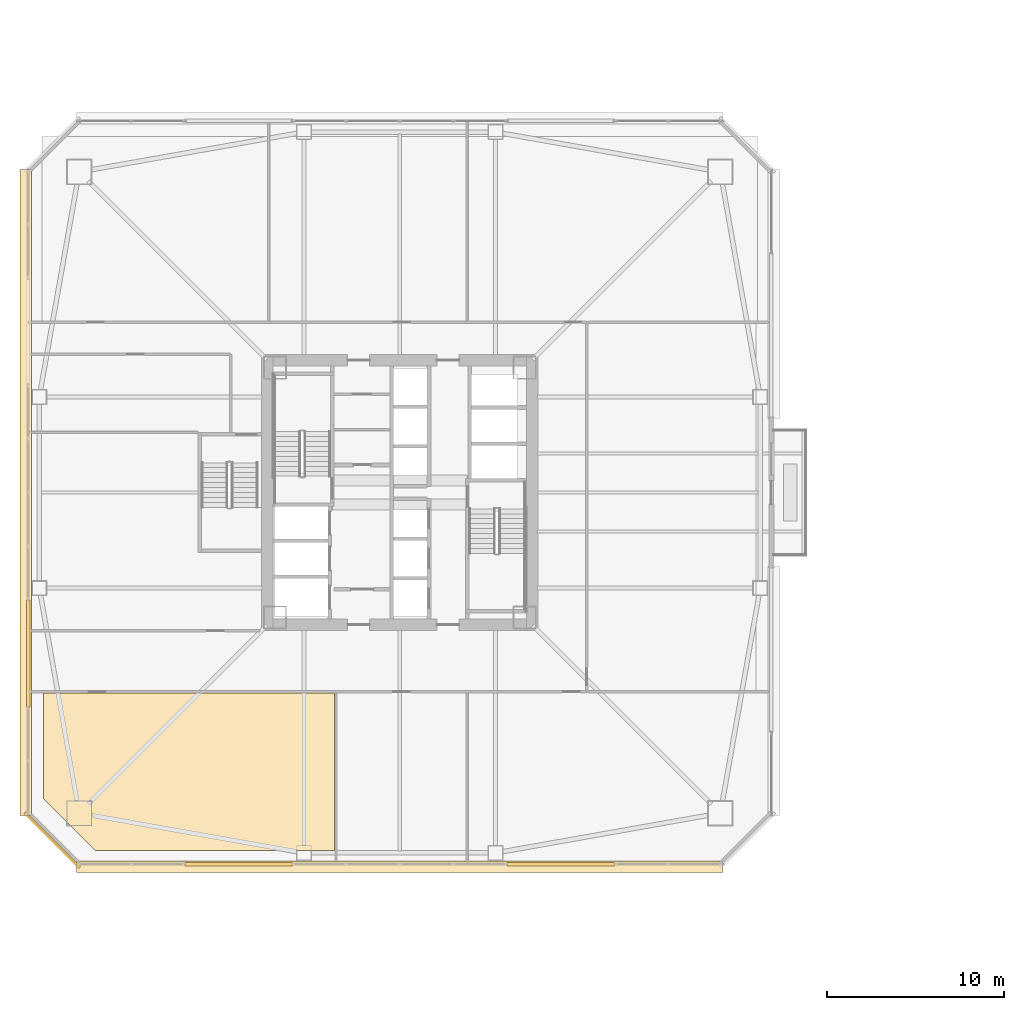
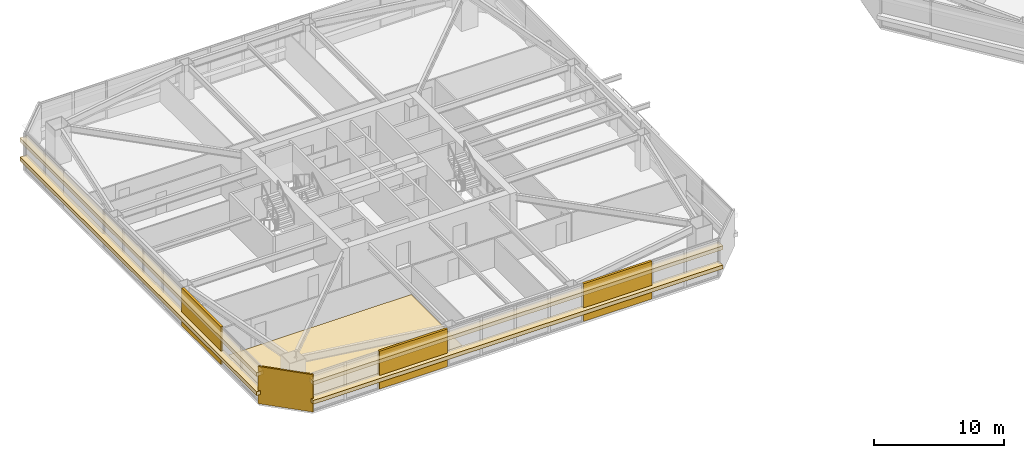
# One storey, part 38 of 44: 9 coverings.
"""IFC4 building model written with IfcOpenShell, lengths in metres."""

import ifcopenshell
import ifcopenshell.guid

model = None  # the IFC model being written
_history = None  # IfcOwnerHistory: only IFC2X3 demands one
_inside = {}  # id of a spatial element -> (the spatial element, [elements in it])
_under = {}  # id of a project, library or spatial element -> (it, [spatial elements below it])
_declared = {}  # id of a project -> (the project, [libraries it declares])
_typed = {}  # id of a type object -> (the type object, [elements of that type])
_made_of = {}  # id of a material, layer set ... -> (it, [elements and type objects made of it])


def new_model(schema):
    """Start an empty IFC model of exactly this schema.

    Asked for "IFC4X3", IfcOpenShell would pick the latest addendum, in which some entities
    have other attributes; the version numbers below select the first issue.
    IFC2X3 requires an IfcOwnerHistory on every rooted entity: one is made here for all.
    """
    global model, _history
    if schema == "IFC4X3":
        model = ifcopenshell.file(schema_version=(4, 3, 0, 0))
    else:
        model = ifcopenshell.file(schema=schema)
    _inside.clear()
    _under.clear()
    _declared.clear()
    _typed.clear()
    _made_of.clear()
    _history = None
    if model.schema == "IFC2X3":
        org = make("IfcOrganization", Name="unknown")
        user = make(
            "IfcPersonAndOrganization",
            ThePerson=make("IfcPerson", FamilyName="unknown"),
            TheOrganization=org,
        )
        app = make(
            "IfcApplication",
            ApplicationDeveloper=org,
            Version="unknown",
            ApplicationFullName="unknown",
            ApplicationIdentifier="unknown",
        )
        _history = make(
            "IfcOwnerHistory",
            OwningUser=user,
            OwningApplication=app,
            ChangeAction="ADDED",
            CreationDate=0,
        )
    return model


def make(cls, **values):
    """One entity of the class cls with the attributes given. An attribute that is None is left unset."""
    return model.create_entity(
        cls, **{name: value for name, value in values.items() if value is not None}
    )


def rooted(cls, **values):
    """An entity with a GlobalId (a new one), such as an element, a storey or a relation."""
    return make(cls, GlobalId=ifcopenshell.guid.new(), OwnerHistory=_history, **values)


def si_unit(unit_type, name, prefix=None):
    """IfcSIUnit, for example si_unit("LENGTHUNIT", "METRE", prefix="MILLI")."""
    return make("IfcSIUnit", UnitType=unit_type, Prefix=prefix, Name=name)


def assignment(units):
    """IfcUnitAssignment: the units of a project."""
    return None if units is None else make("IfcUnitAssignment", Units=units)


def point(xyz):
    """IfcCartesianPoint."""
    return None if xyz is None else make("IfcCartesianPoint", Coordinates=xyz)


def direction(xyz):
    """IfcDirection."""
    return None if xyz is None else make("IfcDirection", DirectionRatios=xyz)


def frame(location, z_axis=None, x_axis=None):
    """IfcAxis2Placement3D, a coordinate frame: its origin and axes. An axis left out is left unset."""
    return make(
        "IfcAxis2Placement3D",
        Location=point(location),
        Axis=direction(z_axis),
        RefDirection=direction(x_axis),
    )


def frame_2d(location, x_axis=None):
    """IfcAxis2Placement2D, a coordinate frame in the plane: its origin and x axis."""
    return make(
        "IfcAxis2Placement2D", Location=point(location), RefDirection=direction(x_axis)
    )


def origin():
    """The frame at (0, 0, 0) with its axes left unset."""
    return frame((0.0, 0.0, 0.0))


def origin_2d():
    """The frame at (0, 0) in the plane with its x axis left unset."""
    return frame_2d((0.0, 0.0))


def place(relative_to, where):
    """IfcLocalPlacement: puts the frame where relative to a parent placement (None: the world)."""
    return make(
        "IfcLocalPlacement", PlacementRelTo=relative_to, RelativePlacement=where
    )


def context(
    kind, dimensions, precision=None, world=None, true_north=None, identifier=None
):
    """IfcGeometricRepresentationContext, for example the 3D "Model" context."""
    return make(
        "IfcGeometricRepresentationContext",
        ContextIdentifier=identifier,
        ContextType=kind,
        CoordinateSpaceDimension=dimensions,
        Precision=precision,
        WorldCoordinateSystem=world,
        TrueNorth=true_north,
    )


def subcontext(parent, identifier, kind, view, scale=None):
    """IfcGeometricRepresentationSubContext, for example "Body" below "Model"."""
    return make(
        "IfcGeometricRepresentationSubContext",
        ContextIdentifier=identifier,
        ContextType=kind,
        ParentContext=parent,
        TargetScale=scale,
        TargetView=view,
    )


def project(units=None, contexts=None):
    """IfcProject with its units and contexts."""
    return rooted(
        "IfcProject",
        Name="project",
        RepresentationContexts=contexts,
        UnitsInContext=assignment(units),
    )


def spatial(cls, under=None, at=None, **own):
    """A site, building, storey or space (cls), placed at a placement, below another one or the project."""
    s = rooted(cls, ObjectPlacement=at, **own)
    if under is not None:
        _under.setdefault(under.id(), (under, []))[1].append(s)
    return s


def polyline(points):
    """IfcPolyline through the points."""
    return make("IfcPolyline", Points=[point(p) for p in points])


def profile(cls, at=None, kind="AREA", **sizes):
    """A parametric profile (cls). Its sizes go by their IFC names, for example OverallWidth=200.0."""
    return make(cls, ProfileType=kind, Position=at, **sizes)


def rectangle(**sizes):
    """IfcRectangleProfileDef."""
    return profile("IfcRectangleProfileDef", **sizes)


def outline(outer, holes=None, kind="AREA"):
    """IfcArbitraryClosedProfileDef: a profile drawn as a closed curve; with holes, ...WithVoids."""
    if holes is None:
        return make("IfcArbitraryClosedProfileDef", ProfileType=kind, OuterCurve=outer)
    return make(
        "IfcArbitraryProfileDefWithVoids",
        ProfileType=kind,
        OuterCurve=outer,
        InnerCurves=holes,
    )


def extrude(swept, where, along, depth):
    """IfcExtrudedAreaSolid: the profile swept, set in the frame where, extruded along a direction by depth."""
    return make(
        "IfcExtrudedAreaSolid",
        SweptArea=swept,
        Position=where,
        ExtrudedDirection=direction(along),
        Depth=depth,
    )


def shape(context_of_items, identifier, shape_type, items):
    """IfcShapeRepresentation: the items that make up one representation, for example the "Body"."""
    return make(
        "IfcShapeRepresentation",
        ContextOfItems=context_of_items,
        RepresentationIdentifier=identifier,
        RepresentationType=shape_type,
        Items=items,
    )


def material(Name=None, Category=None):
    """IfcMaterial."""
    return make("IfcMaterial", Name=Name, Category=Category)


def layer(
    of_material, thickness, ventilated=None, Name=None, Category=None, Priority=None
):
    """IfcMaterialLayer: one layer of a wall or slab, of a material (None: an air gap)."""
    return make(
        "IfcMaterialLayer",
        Material=of_material,
        LayerThickness=thickness,
        IsVentilated=ventilated,
        Name=Name,
        Category=Category,
        Priority=Priority,
    )


def layer_set(layers, Name=None):
    """IfcMaterialLayerSet."""
    return make("IfcMaterialLayerSet", MaterialLayers=layers, LayerSetName=Name)


def made_of(thing, what):
    """Note that an element or type object is made of a material, layer set ...; save() writes the relation."""
    if what is not None:
        _made_of.setdefault(what.id(), (what, []))[1].append(thing)
    return thing


def type_object(cls, material=None, **own):
    """A type object (cls), such as IfcWallType, which elements share."""
    return made_of(rooted(cls, **own), material)


def element(
    cls,
    number,
    at=None,
    inside=None,
    cuts=None,
    type_object=None,
    material=None,
    context=None,
    identifier="Body",
    shape_type=None,
    held_by="IfcProductDefinitionShape",
    body=None,
    shapes=None,
    **own,
):
    """One element of the class cls, such as IfcWall. Its Tag is "e" and its number.

    at: its placement. inside: the storey or other place that contains it. cuts: it is an
    opening in that element (IfcRelVoidsElement). A single representation is given by context,
    identifier, shape_type and body (its items); several are given by shapes. held_by: the class
    of the entity that holds the representations. save() writes the other relations.
    """
    e = rooted(cls, Tag="e%d" % number, ObjectPlacement=at, **own)
    if body is not None:
        shapes = [shape(context, identifier, shape_type, body)]
    if shapes is not None:
        e.Representation = make(held_by, Representations=shapes)
    if inside is not None:
        _inside.setdefault(inside.id(), (inside, []))[1].append(e)
    if cuts is not None:
        rooted(
            "IfcRelVoidsElement", RelatingBuildingElement=cuts, RelatedOpeningElement=e
        )
    if type_object is not None:
        _typed.setdefault(type_object.id(), (type_object, []))[1].append(e)
    return made_of(e, material)


def aggregate(whole, parts):
    """IfcRelAggregates: a whole, such as a stair, and the parts it consists of."""
    return rooted("IfcRelAggregates", RelatingObject=whole, RelatedObjects=parts)


def save(model, path):
    """Write the relations noted so far, then the file.

    IfcRelAggregates (storeys below a building ...), IfcRelContainedInSpatialStructure (elements
    in a storey), IfcRelDefinesByType, IfcRelAssociatesMaterial and IfcRelDeclares: one each for
    every whole, place, type object, material and project.
    """
    for whole, parts in _under.values():
        aggregate(whole, parts)
    for where, things in _inside.values():
        rooted(
            "IfcRelContainedInSpatialStructure",
            RelatedElements=things,
            RelatingStructure=where,
        )
    for kind, things in _typed.values():
        rooted("IfcRelDefinesByType", RelatedObjects=things, RelatingType=kind)
    for what, things in _made_of.values():
        rooted("IfcRelAssociatesMaterial", RelatedObjects=things, RelatingMaterial=what)
    for by, libraries in _declared.values():
        rooted("IfcRelDeclares", RelatingContext=by, RelatedDefinitions=libraries)
    model.write(path)


model = new_model("IFC4")

# Units and contexts
model_context = context("Model", 3, precision=1e-05, world=origin(), true_north=direction((0.0, 1.0)))
body_context = subcontext(model_context, "Body", "Model", "MODEL_VIEW")
ifc_project = project(units=[si_unit("LENGTHUNIT", "METRE"), si_unit("AREAUNIT", "SQUARE_METRE"), si_unit("VOLUMEUNIT", "CUBIC_METRE"), si_unit("PLANEANGLEUNIT", "RADIAN"), si_unit("MASSUNIT", "GRAM", prefix="KILO")], contexts=[model_context])

# Site, building, storey
site_placement = place(None, origin())
site = spatial("IfcSite", under=ifc_project, at=site_placement, CompositionType="ELEMENT")
building_placement = place(site_placement, origin())
building = spatial("IfcBuilding", under=site, at=building_placement, Name="Tashvorn Skyway Center", CompositionType="ELEMENT")
storey_placement = place(building_placement, frame((0.0, 0.0, 84.949951171875)))
storey = spatial("IfcBuildingStorey", under=building, at=storey_placement, Name="L22", CompositionType="ELEMENT", Elevation=84.949951171875)

# Coverings
ifc_material_1 = material(Name="Precast concrete C40/50", Category="concrete")
ifc_layer_1 = layer(ifc_material_1, 0.199951171875)
ifc_layer_set_1 = layer_set([ifc_layer_1], Name="Precast concrete C40/50")
covering_type_1 = type_object("IfcCoveringType", Name="COV-BRACE-CLAD", PredefinedType="CLADDING", material=ifc_layer_set_1)
for number, where, z_axis, x_axis, name in (
    (1, (51.090087890625, 11.02001953125, 0.0), (0.0, 0.0, 1.0), (-1.0, 0.0, 0.0), "Tower 1 L22 South Unitised Curtain Wall Mega-Brace Cladding Band 1"),
    (2, (32.909912109375, 11.02001953125, 0.0), (0.0, 0.0, 1.0), (-1.0, 0.0, 0.0), "Tower 1 L22 South Unitised Curtain Wall Mega-Brace Cladding Band 2"),
    (3, (21.02001953125, 22.909912109375, 0.0), (0.0, 0.0, 1.0), (0.0, 1.0, 0.0), "Tower 1 L22 West Unitised Curtain Wall Mega-Brace Cladding Band 1"),
):
    element("IfcCovering", number, at=place(storey_placement, frame(where, z_axis=z_axis, x_axis=x_axis)), inside=storey, type_object=covering_type_1, Name=name, PredefinedType="CLADDING", context=body_context, shape_type="SweptSolid", body=[
        extrude(rectangle(XDim=6.06005859375, YDim=0.199951171875, at=origin_2d()), origin(), (0.0, 0.0, 1.0), 3.550048828125),
    ])
ifc_material_2 = material(Name="Polished Mojave desert-aggregate terrazzo and cover plate")
ifc_layer_2 = layer(ifc_material_2, 0.0400390625)
ifc_layer_set_2 = layer_set([ifc_layer_2], Name="Polished Mojave desert-aggregate terrazzo and cover plate")
covering_type_2 = type_object("IfcCoveringType", Name="COV-FLR-40", PredefinedType="FLOORING", material=ifc_layer_set_2)
covering_1_placement = place(storey_placement, origin())
element("IfcCovering", 4, at=covering_1_placement, inside=storey, type_object=covering_type_2, Name="Tower 1 L22 Open Plan Office Finish Flooring", PredefinedType="FLOORING", context=body_context, shape_type="SweptSolid", body=[
    extrude(outline(polyline([(24.800048828125, 11.800048828125), (21.8798828125, 14.719970703125), (21.8798828125, 20.669921875), (38.320068359375, 20.669921875), (38.320068359375, 11.800048828125), (24.800048828125, 11.800048828125)])), origin(), (0.0, 0.0, 1.0), 0.0400390625),
])
ifc_material_3 = material(Name="Perforated ceramic-coated bronze aluminium solar screen", Category="aluminium")
ifc_layer_3 = layer(ifc_material_3, 0.85009765625)
ifc_layer_set_3 = layer_set([ifc_layer_3], Name="Perforated ceramic-coated bronze aluminium solar screen")
covering_type_3 = type_object("IfcCoveringType", Name="COV-SOLAR-BAND", PredefinedType="CLADDING", material=ifc_layer_set_3)
for number, where, z_axis, x_axis, name in (
    (5, (42.0, 10.8798828125, 0.919921875), (0.0, 0.0, 1.0), (-1.0, 0.0, 0.0), "L22 Perforated Ceramic-Metal Solar Screen Louvre Band South 1"),
    (6, (42.0, 10.8798828125, 2.72021484375), (0.0, 0.0, 1.0), (-1.0, 0.0, 0.0), "L22 Perforated Ceramic-Metal Solar Screen Louvre Band South 2"),
    (7, (20.8798828125, 32.0, 0.919921875), (0.0, 0.0, 1.0), (0.0, 1.0, 0.0), "L22 Perforated Ceramic-Metal Solar Screen Louvre Band West 1"),
    (8, (20.8798828125, 32.0, 2.72021484375), (0.0, 0.0, 1.0), (0.0, 1.0, 0.0), "L22 Perforated Ceramic-Metal Solar Screen Louvre Band West 2"),
):
    element("IfcCovering", number, at=place(storey_placement, frame(where, z_axis=z_axis, x_axis=x_axis)), inside=storey, type_object=covering_type_3, Name=name, PredefinedType="CLADDING", context=body_context, shape_type="SweptSolid", body=[
        extrude(rectangle(XDim=36.47998046875, YDim=0.639892578125, at=origin_2d()), origin(), (0.0, 0.0, 1.0), 0.360107421875),
    ])
ifc_layer_4 = layer(ifc_material_1, 0.35009765625)
ifc_layer_set_4 = layer_set([ifc_layer_4], Name="Precast concrete C40/50")
covering_type_4 = type_object("IfcCoveringType", Name="COV-STONE-TRIM", PredefinedType="CLADDING", material=ifc_layer_set_4)
covering_2_placement = place(storey_placement, frame((22.3798828125, 12.3798828125, 0.02001953125), z_axis=(0.0, 0.0, 1.0), x_axis=(-0.707106781187, 0.707106781187, 0.0)))
element("IfcCovering", 9, at=covering_2_placement, inside=storey, type_object=covering_type_4, Name="Tower 1 L22 SW Mojave Limestone Corner Quoin", PredefinedType="CLADDING", context=body_context, shape_type="SweptSolid", body=[
    extrude(rectangle(XDim=4.402587890625, YDim=0.139892578125, at=origin_2d()), origin(), (0.0, 0.0, 1.0), 3.510009765625),
])

save(model, "model.ifc")
